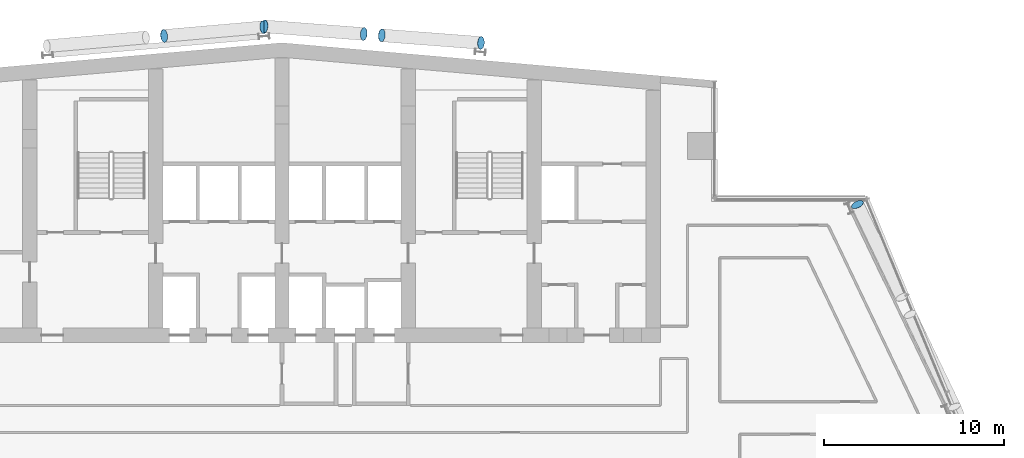
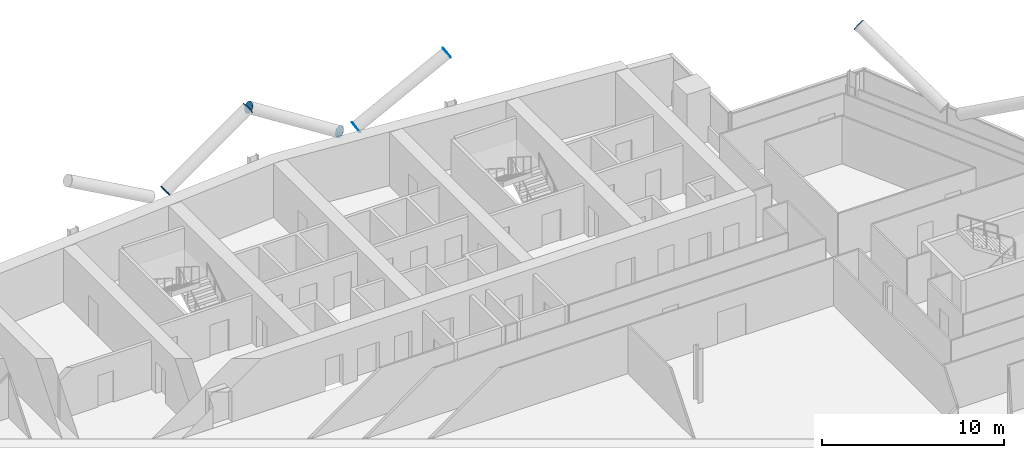
# One storey, part 24 of 28: 7 discrete accessories.
"""IFC4 building model written with IfcOpenShell, lengths in metres."""

from ifc_helpers import new_model, si_unit, direction, frame, origin, origin_2d, place, context, subcontext, project, spatial, circle, extrude, material, material_profile, profile_set, type_object, element, save


model = new_model("IFC4")

# Units and contexts
model_context = context("Model", 3, precision=1e-05, world=origin(), true_north=direction((0.0, 1.0)))
body_context = subcontext(model_context, "Body", "Model", "MODEL_VIEW")
ifc_project = project(units=[si_unit("LENGTHUNIT", "METRE"), si_unit("AREAUNIT", "SQUARE_METRE"), si_unit("VOLUMEUNIT", "CUBIC_METRE"), si_unit("PLANEANGLEUNIT", "RADIAN"), si_unit("MASSUNIT", "GRAM", prefix="KILO")], contexts=[model_context])

# Site, building, storey
site_placement = place(None, origin())
site = spatial("IfcSite", under=ifc_project, at=site_placement, CompositionType="ELEMENT")
building_placement = place(site_placement, origin())
building = spatial("IfcBuilding", under=site, at=building_placement, Name="Wharfspan Tower", CompositionType="ELEMENT")
storey_placement = place(building_placement, frame((0.0, 0.0, 187.899902)))
storey = spatial("IfcBuildingStorey", under=building, at=storey_placement, Name="L46", CompositionType="ELEMENT", Elevation=187.899902)

# Discrete accessories
ifc_material = material(Name="Steel S460NH", Category="steel")
ifc_material_profile = material_profile(ifc_material, circle(Radius=0.355469, at=origin_2d()))
ifc_profile_set = profile_set([ifc_material_profile], Name="Steel S460NH")
discrete_accessory_type = type_object("IfcDiscreteAccessoryType", Name="End plate CHS 711x36", PredefinedType="BRACKET", material=ifc_profile_set)
for number, where, z_axis, x_axis, name in (
    (1, (68.938721, 41.643066, 6.5), (-0.385682, 0.771364, 0.506208), (-0.894428, -0.447214, 0.0), "End plate CHS 711x36"),
    (2, (30.452881, 51.006348, 3.197998), (0.844416, 0.072379, 0.530776), (-0.085402, 0.99635, 0.0), "End plate CHS 711x36"),
    (3, (35.956299, 51.487793, 6.5), (0.855186, 0.073302, 0.513112), (-0.085402, 0.996345, 1e-06), "End plate CHS 711x36"),
    (4, (42.534668, 51.038086, 3.197998), (0.855186, -0.073302, 0.513112), (0.085402, 0.996345, -1e-06), "End plate CHS 711x36"),
    (5, (48.036865, 50.617676, 6.5), (0.856465, -0.048941, 0.513879), (0.05705, 0.998372, 0.0), "End plate CHS 711x36"),
    (6, (41.541992, 51.11377, 3.197998), (-0.855186, 0.073302, 0.513112), (-0.085402, -0.996345, -1e-06), "End plate CHS 711x36"),
    (7, (36.039795, 51.53418, 6.5), (-0.856465, 0.048941, 0.513879), (-0.05705, -0.998372, 0.0), "End plate CHS 711x36"),
):
    element("IfcDiscreteAccessory", number, at=place(storey_placement, frame(where, z_axis=z_axis, x_axis=x_axis)), inside=storey, type_object=discrete_accessory_type, Name=name, PredefinedType="BRACKET", context=body_context, shape_type="SweptSolid", body=[
        extrude(circle(Radius=0.355469, at=origin_2d()), origin(), (0.0, 0.0, 1.0), 0.01001),
    ])

save(model, "model.ifc")
